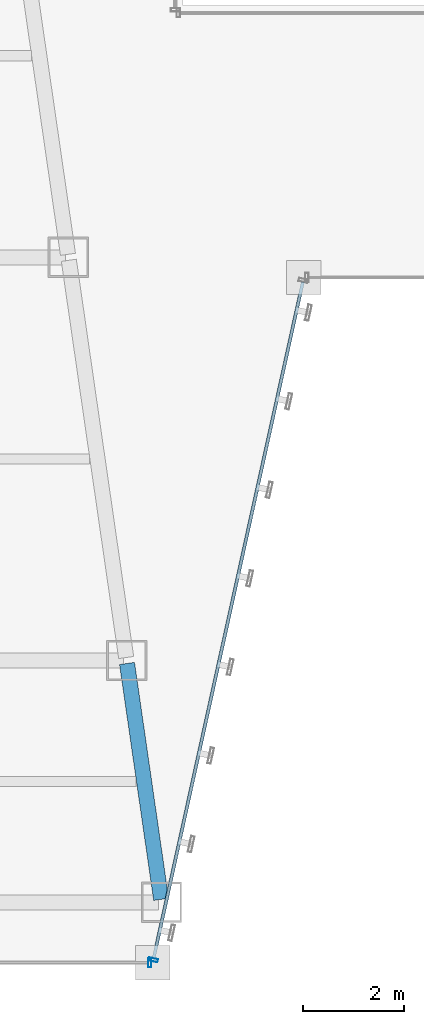
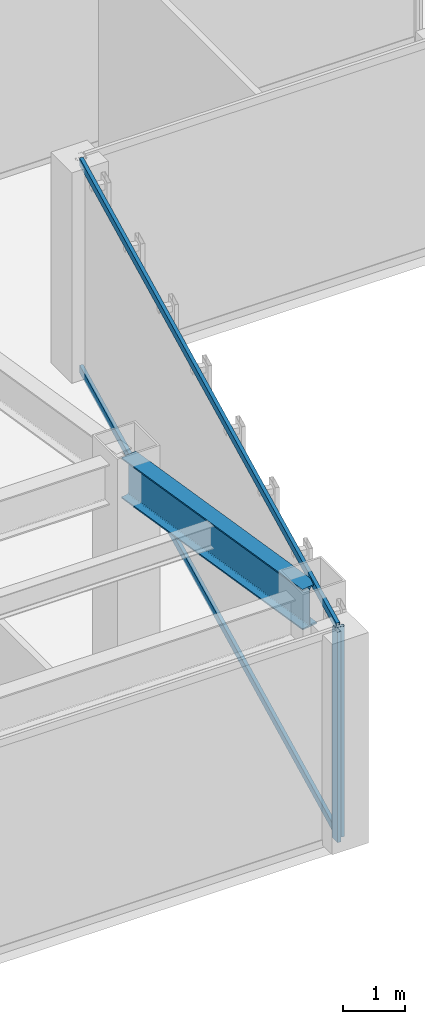
# One storey, part 7 of 47: 4 members, 1 beam, 2 elements without a shape of their own.
"""IFC4 building model written with IfcOpenShell, lengths in metres."""

from ifc_helpers import new_model, si_unit, direction, frame, origin, origin_2d, place, context, subcontext, project, spatial, hollow_rectangle, i_section, extrude, material, material_profile, profile_set, type_object, element, aggregate, save


model = new_model("IFC4")

# Units and contexts
model_context = context("Model", 3, precision=1e-05, world=origin(), true_north=direction((0.0, 1.0)))
body_context = subcontext(model_context, "Body", "Model", "MODEL_VIEW")
ifc_project = project(units=[si_unit("LENGTHUNIT", "METRE"), si_unit("AREAUNIT", "SQUARE_METRE"), si_unit("VOLUMEUNIT", "CUBIC_METRE"), si_unit("PLANEANGLEUNIT", "RADIAN"), si_unit("MASSUNIT", "GRAM", prefix="KILO")], contexts=[model_context])

# Site, building, storey
site_placement = place(None, origin())
site = spatial("IfcSite", under=ifc_project, at=site_placement, CompositionType="ELEMENT")
building_placement = place(site_placement, origin())
building = spatial("IfcBuilding", under=site, at=building_placement, Name="Saevonmaru Cultural Tower", CompositionType="ELEMENT")
storey_placement = place(building_placement, frame((0.0, 0.0, 78.0)))
storey = spatial("IfcBuildingStorey", under=building, at=storey_placement, Name="L16", CompositionType="ELEMENT", Elevation=78.0)

# Beam
ifc_material_1 = material(Name="Steel SM420", Category="steel")
ifc_material_profile_1 = material_profile(ifc_material_1, i_section(OverallWidth=0.300048828125, OverallDepth=0.800048828125, WebThickness=0.013916015625, FlangeThickness=0.02587890625, FilletRadius=0.028076171875, at=origin_2d()), Name="H-800x300x14x26")
ifc_profile_set_1 = profile_set([ifc_material_profile_1], Name="Steel SM420")
beam_type = type_object("IfcBeamType", Name="BM-G-H800", PredefinedType="BEAM", material=ifc_profile_set_1)
beam_placement = place(storey_placement, frame((23.768310546875, 3.259521484375, 3.75), z_axis=(-0.143083234893, 0.989710658674, 0.0), x_axis=(-0.989710658674, -0.143083234893, 0.0)))
element("IfcBeam", 1, at=beam_placement, inside=storey, type_object=beam_type, Name="L16 West Atrium Girder 1", PredefinedType="BEAM", context=body_context, shape_type="SweptSolid", body=[
    extrude(i_section(OverallWidth=0.300048828125, OverallDepth=0.800048828125, WebThickness=0.013916015625, FlangeThickness=0.02587890625, FilletRadius=0.028076171875, at=origin_2d()), origin(), (0.0, 0.0, 1.0), 4.729736328125),
])

# Curtain wall, member
ifc_material_2 = material(Name="Satin Bronze Anodised Aluminium", Category="aluminium")
curtain_wall_type = type_object("IfcCurtainWallType", Name="CW-TYP-A", PredefinedType="NOTDEFINED", material=ifc_material_2)
curtain_wall_1_placement = place(storey_placement, origin())
curtain_wall_1 = element("IfcCurtainWall", 2, at=curtain_wall_1_placement, inside=storey, type_object=curtain_wall_type, Name="L16 Unitised Curtain Wall E2", PredefinedType="NOTDEFINED")
ifc_material_profile_2 = material_profile(ifc_material_2, hollow_rectangle(XDim=0.06494140625, YDim=0.179931640625, WallThickness=0.00390625, at=origin_2d()), Name="ALU-MULL-180x65x4")
ifc_profile_set_2 = profile_set([ifc_material_profile_2], Name="Satin Bronze Anodised Aluminium")
member_type_1 = type_object("IfcMemberType", Name="ML-CW-180x65", PredefinedType="MULLION", material=ifc_profile_set_2)
member_1_placement = place(storey_placement, frame((23.5400390625, 2.0, 0.0), z_axis=(0.0, 0.0, 1.0), x_axis=(1.0, 0.0, 0.0)))
member_1 = element("IfcMember", 3, at=member_1_placement, type_object=member_type_1, Name="CW-TW-L16-E2 mullion 2", PredefinedType="MULLION", context=body_context, shape_type="SweptSolid", body=[
    extrude(hollow_rectangle(XDim=0.06494140625, YDim=0.179931640625, WallThickness=0.00390625, at=origin_2d()), origin(), (0.0, 0.0, 1.0), 4.14990234375),
])
aggregate(curtain_wall_1, [member_1])

# Curtain wall, members
curtain_wall_2_placement = place(storey_placement, origin())
curtain_wall_2 = element("IfcCurtainWall", 4, at=curtain_wall_2_placement, inside=storey, type_object=curtain_wall_type, Name="L16 Unitised Curtain Wall E3", PredefinedType="NOTDEFINED")
member_2_placement = place(storey_placement, frame((23.61279296875, 2.05859375, 0.0), z_axis=(0.0, 0.0, 1.0), x_axis=(0.215413319953, 0.976522965212, 0.0)))
member_2 = element("IfcMember", 5, at=member_2_placement, type_object=member_type_1, Name="CW-TW-L16-E3 mullion 1", PredefinedType="MULLION", context=body_context, shape_type="SweptSolid", body=[
    extrude(hollow_rectangle(XDim=0.06494140625, YDim=0.179931640625, WallThickness=0.00390625, at=origin_2d()), origin(), (0.0, 0.0, 1.0), 4.14990234375),
])
ifc_material_profile_3 = material_profile(ifc_material_2, hollow_rectangle(XDim=0.06494140625, YDim=0.14990234375, WallThickness=0.00390625, at=origin_2d()), Name="ALU-TRAN-150x65x4")
ifc_profile_set_3 = profile_set([ifc_material_profile_3], Name="Satin Bronze Anodised Aluminium")
member_type_2 = type_object("IfcMemberType", Name="TR-CW-150x65", PredefinedType="USERDEFINED", material=ifc_profile_set_3)
member_3_placement = place(storey_placement, frame((23.619873046875, 2.09033203125, 0.032470703125), z_axis=(0.21541214732, 0.976523223885, 0.0), x_axis=(-0.976523223885, 0.21541214732, 0.0)))
member_3 = element("IfcMember", 6, at=member_3_placement, type_object=member_type_2, Name="CW-TW-L16-E3 transom 1.1", ObjectType="TRANSOM", PredefinedType="USERDEFINED", context=body_context, shape_type="SweptSolid", body=[
    extrude(hollow_rectangle(XDim=0.06494140625, YDim=0.14990234375, WallThickness=0.00390625, at=origin_2d()), origin(), (0.0, 0.0, 1.0), 13.741943359375),
])
member_4_placement = place(storey_placement, frame((23.619873046875, 2.09033203125, 4.117431640625), z_axis=(0.21541214732, 0.976523223885, 0.0), x_axis=(-0.976523223885, 0.21541214732, 0.0)))
member_4 = element("IfcMember", 7, at=member_4_placement, type_object=member_type_2, Name="CW-TW-L16-E3 transom 1.2", ObjectType="TRANSOM", PredefinedType="USERDEFINED", context=body_context, shape_type="SweptSolid", body=[
    extrude(hollow_rectangle(XDim=0.06494140625, YDim=0.14990234375, WallThickness=0.00390625, at=origin_2d()), origin(), (0.0, 0.0, 1.0), 13.741943359375),
])
aggregate(curtain_wall_2, [member_2, member_3, member_4])

save(model, "model.ifc")
